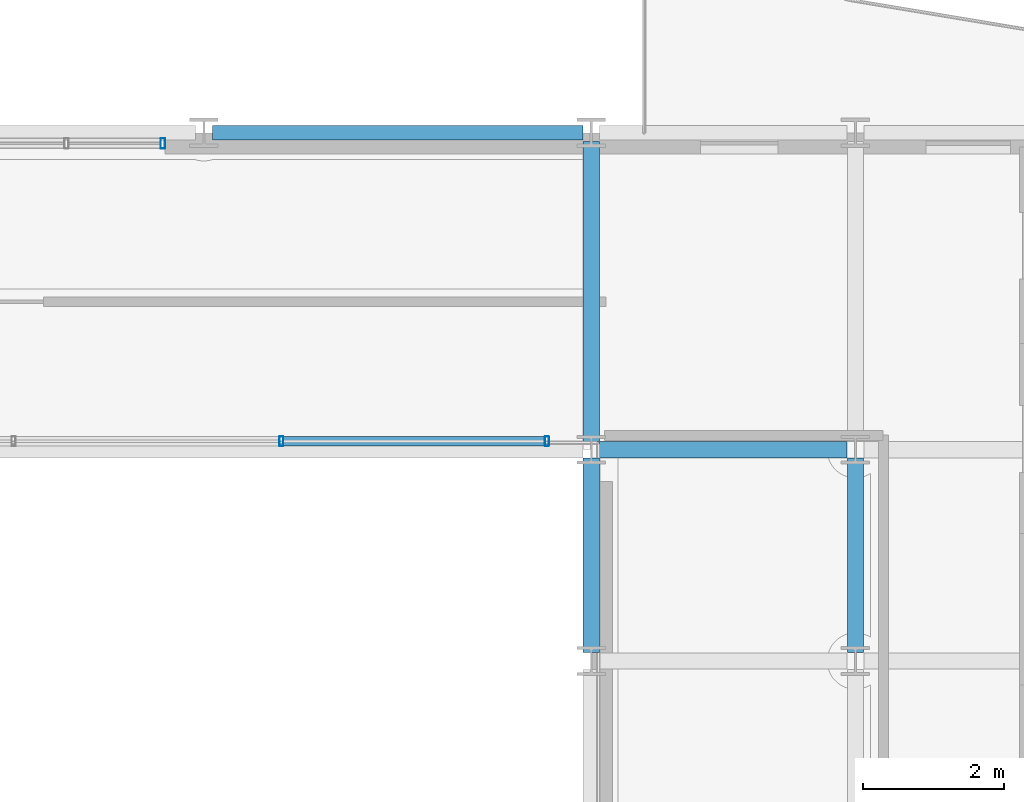
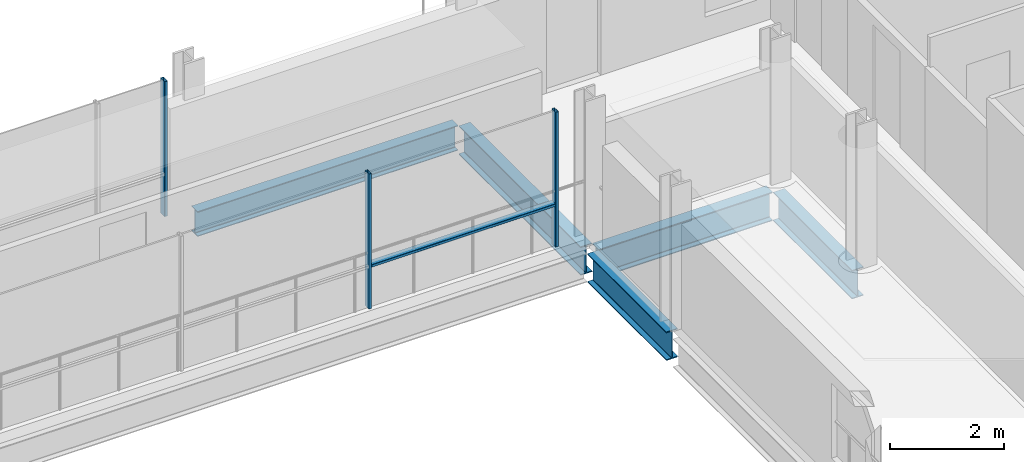
# One storey, part 19 of 39: 5 beams, 4 members, 2 elements without a shape of their own.
"""IFC4 building model written with IfcOpenShell, lengths in metres."""

from ifc_helpers import new_model, si_unit, direction, frame, origin, origin_2d, place, context, subcontext, project, spatial, hollow_rectangle, i_section, extrude, material, layer, layer_set, material_profile, profile_set, type_object, element, aggregate, save


model = new_model("IFC4")

# Units and contexts
model_context = context("Model", 3, precision=1e-05, world=origin(), true_north=direction((0.0, 1.0)))
body_context = subcontext(model_context, "Body", "Model", "MODEL_VIEW")
ifc_project = project(units=[si_unit("LENGTHUNIT", "METRE"), si_unit("AREAUNIT", "SQUARE_METRE"), si_unit("VOLUMEUNIT", "CUBIC_METRE"), si_unit("PLANEANGLEUNIT", "RADIAN"), si_unit("MASSUNIT", "GRAM", prefix="KILO")], contexts=[model_context])

# Site, building, storey
site_placement = place(None, origin())
site = spatial("IfcSite", under=ifc_project, at=site_placement, CompositionType="ELEMENT")
building_placement = place(site_placement, origin())
building = spatial("IfcBuilding", under=site, at=building_placement, Name="Brevholm Reach", CompositionType="ELEMENT")
storey_placement = place(building_placement, frame((0.0, 0.0, 154.199951171875)))
storey = spatial("IfcBuildingStorey", under=building, at=storey_placement, Name="L46", CompositionType="ELEMENT", Elevation=154.199951171875)

# Beams
ifc_material_1 = material(Name="Structural Steel S355J2", Category="steel")
ifc_material_profile_1 = material_profile(ifc_material_1, i_section(OverallWidth=0.209228515625, OverallDepth=0.533203125, WebThickness=0.010009765625, FlangeThickness=0.015625, FilletRadius=0.0126953125, at=origin_2d()), Name="UKB 533x210x92")
ifc_profile_set_1 = profile_set([ifc_material_profile_1], Name="Structural Steel S355J2")
beam_type_1 = type_object("IfcBeamType", Name="BM-SP533", PredefinedType="SPANDREL", material=ifc_profile_set_1)
beam_1_placement = place(storey_placement, frame((32.8701171875, 31.0, -0.486572265625), z_axis=(1.0, 0.0, 0.0), x_axis=(0.0, 1.0, 0.0)))
element("IfcBeam", 1, at=beam_1_placement, inside=storey, type_object=beam_type_1, Name="L46 SP-02 Framing Beam", PredefinedType="SPANDREL", context=body_context, shape_type="SweptSolid", body=[
    extrude(i_section(OverallWidth=0.209228515625, OverallDepth=0.533203125, WebThickness=0.010009765625, FlangeThickness=0.015625, FilletRadius=0.0126953125, at=origin_2d()), origin(), (0.0, 0.0, 1.0), 5.259765625),
])
ifc_material_2 = material(Name="Structural Steel S355J2", Category="steel")
ifc_material_profile_2 = material_profile(ifc_material_2, i_section(OverallWidth=0.22900390625, OverallDepth=0.6123046875, WebThickness=0.011962890625, FlangeThickness=0.01953125, FilletRadius=0.0126953125, at=origin_2d()), Name="UKB 610x229x125")
ifc_profile_set_2 = profile_set([ifc_material_profile_2], Name="Structural Steel S355J2")
beam_type_2 = type_object("IfcBeamType", Name="BM-SP610", PredefinedType="SPANDREL", material=ifc_profile_set_2)
beam_2_placement = place(storey_placement, frame((38.3701171875, 26.5, -0.526123046875), z_axis=(1.0, 0.0, 0.0), x_axis=(0.0, 1.0, 0.0)))
element("IfcBeam", 2, at=beam_2_placement, inside=storey, type_object=beam_type_2, Name="L46 SP-01 Framing Beam", PredefinedType="SPANDREL", context=body_context, shape_type="SweptSolid", body=[
    extrude(i_section(OverallWidth=0.22900390625, OverallDepth=0.6123046875, WebThickness=0.011962890625, FlangeThickness=0.01953125, FilletRadius=0.0126953125, at=origin_2d()), origin(), (0.0, 0.0, 1.0), 3.509765625),
])
beam_3_placement = place(storey_placement, frame((38.25, 23.6201171875, -0.526123046875), z_axis=(0.0, 1.0, 0.0), x_axis=(-1.0, 0.0, 0.0)))
element("IfcBeam", 3, at=beam_3_placement, inside=storey, type_object=beam_type_2, Name="L46 SP-01 Framing Beam", PredefinedType="SPANDREL", context=body_context, shape_type="SweptSolid", body=[
    extrude(i_section(OverallWidth=0.22900390625, OverallDepth=0.6123046875, WebThickness=0.011962890625, FlangeThickness=0.01953125, FilletRadius=0.0126953125, at=origin_2d()), origin(), (0.0, 0.0, 1.0), 2.759765625),
])
beam_4_placement = place(storey_placement, frame((38.25, 26.6201171875, -0.526123046875), z_axis=(0.0, 1.0, 0.0), x_axis=(-1.0, 0.0, 0.0)))
element("IfcBeam", 4, at=beam_4_placement, inside=storey, type_object=beam_type_2, Name="L46 SP-01 Framing Beam", PredefinedType="SPANDREL", context=body_context, shape_type="SweptSolid", body=[
    extrude(i_section(OverallWidth=0.22900390625, OverallDepth=0.6123046875, WebThickness=0.011962890625, FlangeThickness=0.01953125, FilletRadius=0.0126953125, at=origin_2d()), origin(), (0.0, 0.0, 1.0), 4.259765625),
])
beam_5_placement = place(storey_placement, frame((42.0, 23.6201171875, -0.526123046875), z_axis=(0.0, 1.0, 0.0), x_axis=(-1.0, 0.0, 0.0)))
element("IfcBeam", 5, at=beam_5_placement, inside=storey, type_object=beam_type_2, Name="L46 SP-01 Framing Beam", PredefinedType="SPANDREL", context=body_context, shape_type="SweptSolid", body=[
    extrude(i_section(OverallWidth=0.22900390625, OverallDepth=0.6123046875, WebThickness=0.011962890625, FlangeThickness=0.01953125, FilletRadius=0.0126953125, at=origin_2d()), origin(), (0.0, 0.0, 1.0), 2.759765625),
])

# Curtain wall, members
ifc_material_3 = material(Name="Dark Anodised Aluminium 6063-T6 and Solar-Control Glass", Category="aluminium")
ifc_layer_1 = layer(ifc_material_3, 0.139892578125)
ifc_layer_set_1 = layer_set([ifc_layer_1], Name="Dark Anodised Aluminium 6063-T6 and Solar-Control Glass")
curtain_wall_type_1 = type_object("IfcCurtainWallType", Name="CW-02", PredefinedType="NOTDEFINED", material=ifc_layer_set_1)
curtain_wall_1_placement = place(storey_placement, origin())
curtain_wall_1 = element("IfcCurtainWall", 6, at=curtain_wall_1_placement, inside=storey, type_object=curtain_wall_type_1, Name="L46 Curtain Wall CW-02", PredefinedType="NOTDEFINED")
ifc_material_4 = material(Name="Dark Anodised Aluminium 6063-T6", Category="aluminium")
ifc_material_profile_3 = material_profile(ifc_material_4, hollow_rectangle(XDim=0.06005859375, YDim=0.139892578125, WallThickness=0.0048828125, InnerFilletRadius=0.0048828125, OuterFilletRadius=0.010009765625, at=origin_2d()), Name="RHS 140x60x5")
ifc_profile_set_3 = profile_set([ifc_material_profile_3], Name="Dark Anodised Aluminium 6063-T6")
member_type_1 = type_object("IfcMemberType", Name="CWM-140", PredefinedType="MULLION", material=ifc_profile_set_3)
member_1_placement = place(storey_placement, frame((37.6201171875, 26.6201171875, 0.0), z_axis=(0.0, 0.0, 1.0), x_axis=(-1.0, 0.0, 0.0)))
member_1 = element("IfcMember", 7, at=member_1_placement, type_object=member_type_1, Name="CM-140 Mullion 1", PredefinedType="MULLION", context=body_context, shape_type="SweptSolid", body=[
    extrude(hollow_rectangle(XDim=0.06005859375, YDim=0.139892578125, WallThickness=0.0048828125, InnerFilletRadius=0.0048828125, OuterFilletRadius=0.010009765625, at=origin_2d()), origin(), (0.0, 0.0, 1.0), 2.880126953125),
])
member_2_placement = place(storey_placement, frame((33.85009765625, 26.6201171875, 0.0), z_axis=(0.0, 0.0, 1.0), x_axis=(-1.0, 0.0, 0.0)))
member_2 = element("IfcMember", 8, at=member_2_placement, type_object=member_type_1, Name="CM-140 Mullion 2", PredefinedType="MULLION", context=body_context, shape_type="SweptSolid", body=[
    extrude(hollow_rectangle(XDim=0.06005859375, YDim=0.139892578125, WallThickness=0.0048828125, InnerFilletRadius=0.0048828125, OuterFilletRadius=0.010009765625, at=origin_2d()), origin(), (0.0, 0.0, 1.0), 2.880126953125),
])

# Curtain wall, member
ifc_material_5 = material(Name="Dark Anodised Aluminium 6063-T6 and Solar-Control Glass", Category="aluminium")
ifc_layer_2 = layer(ifc_material_5, 0.14990234375)
ifc_layer_set_2 = layer_set([ifc_layer_2], Name="Dark Anodised Aluminium 6063-T6 and Solar-Control Glass")
curtain_wall_type_2 = type_object("IfcCurtainWallType", Name="CW-01", PredefinedType="NOTDEFINED", material=ifc_layer_set_2)
curtain_wall_2_placement = place(storey_placement, origin())
curtain_wall_2 = element("IfcCurtainWall", 9, at=curtain_wall_2_placement, inside=storey, type_object=curtain_wall_type_2, Name="L46 Curtain Wall CW-01", PredefinedType="NOTDEFINED")
ifc_material_6 = material(Name="Dark Anodised Aluminium 6063-T6", Category="aluminium")
ifc_material_profile_4 = material_profile(ifc_material_6, hollow_rectangle(XDim=0.06494140625, YDim=0.14990234375, WallThickness=0.0048828125, InnerFilletRadius=0.0048828125, OuterFilletRadius=0.010009765625, at=origin_2d()), Name="RHS 150x65x5")
ifc_profile_set_4 = profile_set([ifc_material_profile_4], Name="Dark Anodised Aluminium 6063-T6")
member_type_2 = type_object("IfcMemberType", Name="CWM-150", PredefinedType="MULLION", material=ifc_profile_set_4)
member_3_placement = place(storey_placement, frame((32.16748046875, 30.85009765625, 0.0), z_axis=(0.0, 0.0, 1.0), x_axis=(1.0, 0.0, 0.0)))
member_3 = element("IfcMember", 10, at=member_3_placement, type_object=member_type_2, Name="CM-150 Mullion 3", PredefinedType="MULLION", context=body_context, shape_type="SweptSolid", body=[
    extrude(hollow_rectangle(XDim=0.06494140625, YDim=0.14990234375, WallThickness=0.0048828125, InnerFilletRadius=0.0048828125, OuterFilletRadius=0.010009765625, at=origin_2d()), origin(), (0.0, 0.0, 1.0), 2.880126953125),
])
aggregate(curtain_wall_2, [member_3])

# Member
ifc_material_7 = material(Name="Dark Anodised Aluminium 6063-T6", Category="aluminium")
ifc_material_profile_5 = material_profile(ifc_material_7, hollow_rectangle(XDim=0.06005859375, YDim=0.139892578125, WallThickness=0.0048828125, InnerFilletRadius=0.0048828125, OuterFilletRadius=0.010009765625, at=origin_2d()), Name="RHS 140x60x5")
ifc_profile_set_5 = profile_set([ifc_material_profile_5], Name="Dark Anodised Aluminium 6063-T6")
member_type_3 = type_object("IfcMemberType", Name="CWT-140", PredefinedType="NOTDEFINED", material=ifc_profile_set_5)
member_4_placement = place(storey_placement, frame((37.590087890625, 26.6201171875, 0.900146484375), z_axis=(-1.0, 0.0, 0.0), x_axis=(0.0, 0.0, 1.0)))
member_4 = element("IfcMember", 11, at=member_4_placement, type_object=member_type_3, Name="CT-140 Transom 1.1", ObjectType="TRANSOM", PredefinedType="USERDEFINED", context=body_context, shape_type="SweptSolid", body=[
    extrude(hollow_rectangle(XDim=0.06005859375, YDim=0.139892578125, WallThickness=0.0048828125, InnerFilletRadius=0.0048828125, OuterFilletRadius=0.010009765625, at=origin_2d()), origin(), (0.0, 0.0, 1.0), 3.710205078125),
])

aggregate(curtain_wall_1, [member_1, member_2, member_4])

save(model, "model.ifc")
